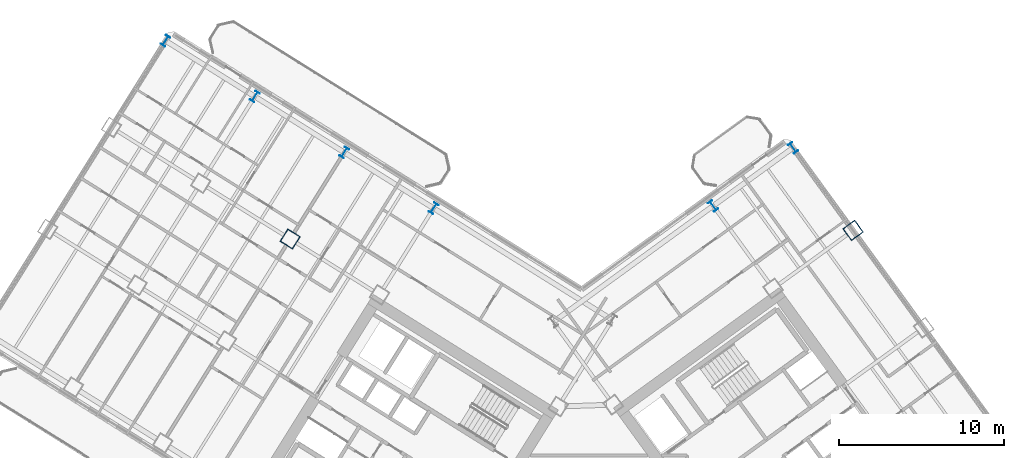
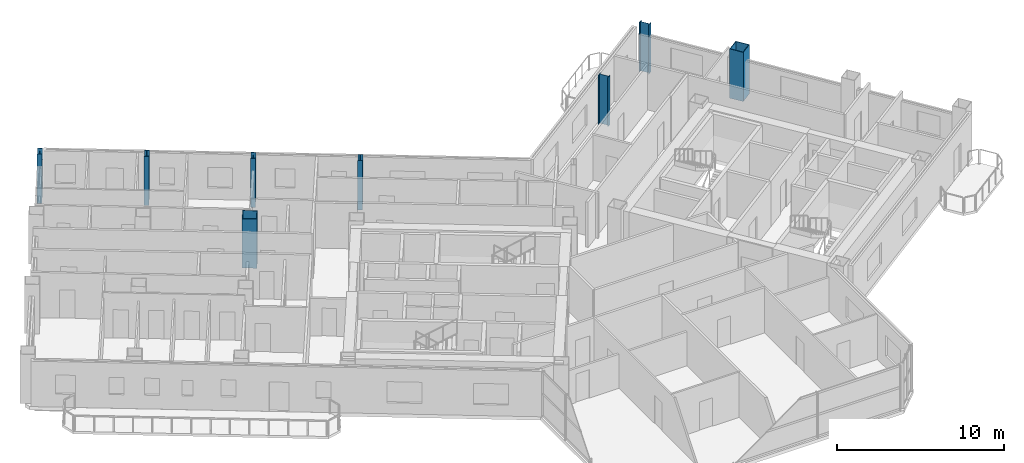
# One storey, part 3 of 22: 8 columns.
"""IFC4 building model written with IfcOpenShell, lengths in metres."""

from ifc_helpers import new_model, si_unit, direction, frame, origin, origin_2d, place, context, subcontext, project, spatial, hollow_rectangle, i_section, extrude, source, transform, mapped, material, material_profile, profile_set, type_object, element, save


model = new_model("IFC4")

# Units and contexts
model_context = context("Model", 3, precision=1e-05, world=origin(), true_north=direction((0.0, 1.0)))
body_context = subcontext(model_context, "Body", "Model", "MODEL_VIEW")
ifc_project = project(units=[si_unit("LENGTHUNIT", "METRE"), si_unit("AREAUNIT", "SQUARE_METRE"), si_unit("VOLUMEUNIT", "CUBIC_METRE"), si_unit("PLANEANGLEUNIT", "RADIAN"), si_unit("MASSUNIT", "GRAM", prefix="KILO")], contexts=[model_context])

# Site, building, storey
site_placement = place(None, origin())
site = spatial("IfcSite", under=ifc_project, at=site_placement, CompositionType="ELEMENT")
building_placement = place(site_placement, origin())
building = spatial("IfcBuilding", under=site, at=building_placement, Name="Tlacorven Tower", CompositionType="ELEMENT")
storey_placement = place(building_placement, frame((0.0, 0.0, 97.199951171875)))
storey = spatial("IfcBuildingStorey", under=building, at=storey_placement, Name="L24", CompositionType="ELEMENT", Elevation=97.199951171875)

# Columns
ifc_material = material(Name="Steel S460M", Category="steel")
ifc_material_profile_1 = material_profile(ifc_material, i_section(OverallWidth=0.300048828125, OverallDepth=0.64990234375, WebThickness=0.01611328125, FlangeThickness=0.031005859375, at=origin_2d()), Name="HEB 650")
ifc_profile_set_1 = profile_set([ifc_material_profile_1], Name="Steel S460M")
column_type_1 = type_object("IfcColumnType", Name="COL-TWR-P1", PredefinedType="COLUMN", material=ifc_profile_set_1)
shared_shape_1 = source(origin(), body_context, "Body", "SweptSolid", [
    extrude(i_section(OverallWidth=0.300048828125, OverallDepth=0.64990234375, WebThickness=0.01611328125, FlangeThickness=0.031005859375, at=origin_2d()), origin(), (0.0, 0.0, 1.0), 3.60009765625),
])
for number, where, z_axis, x_axis, name in (
    (1, (33.21337890625, 36.50927734375, 0.0), (0.0, 0.0, 1.0), (-0.848048096156, 0.529919264233, 0.0), "L24 column COL-L24-W3-1"),
    (2, (27.785888671875, 39.900634765625, 0.0), (0.0, 0.0, 1.0), (-0.848048096156, 0.529919264233, 0.0), "L24 column COL-L24-W4-1"),
    (3, (22.3583984375, 43.292236328125, 0.0), (0.0, 0.0, 1.0), (-0.848048096156, 0.529919264233, 0.0), "L24 column COL-L24-W5-1"),
    (4, (16.930908203125, 46.68359375, 0.0), (0.0, 0.0, 1.0), (-0.848048096156, 0.529919264233, 0.0), "L24 column COL-L24-W6-1"),
    (5, (50.187744140625, 36.654296875, 0.0), (0.0, 0.0, 1.0), (0.809016994375, 0.587785252292, 0.0), "L24 column COL-L24-E3-4"),
    (6, (55.041748046875, 40.18115234375, 0.0), (0.0, 0.0, 1.0), (0.809016994375, 0.587785252292, 0.0), "L24 column COL-L24-E4-4"),
):
    element("IfcColumn", number, at=place(storey_placement, frame(where, z_axis=z_axis, x_axis=x_axis)), inside=storey, type_object=column_type_1, Name=name, PredefinedType="COLUMN", context=body_context, shape_type="MappedRepresentation", body=[
        mapped(shared_shape_1, transform((0.0, 0.0, 0.0), scale=1.0)),
    ])
ifc_material_profile_2 = material_profile(ifc_material, hollow_rectangle(XDim=0.89990234375, YDim=0.89990234375, WallThickness=0.035888671875, at=origin_2d()), Name="BOX 900X900X36")
ifc_profile_set_2 = profile_set([ifc_material_profile_2], Name="Steel S460M")
column_type_2 = type_object("IfcColumnType", Name="COL-TWR-S2", PredefinedType="COLUMN", material=ifc_profile_set_2)
shared_shape_2 = source(origin(), body_context, "Body", "SweptSolid", [
    extrude(hollow_rectangle(XDim=0.89990234375, YDim=0.89990234375, WallThickness=0.035888671875, at=origin_2d()), origin(), (0.0, 0.0, 1.0), 3.60009765625),
])
for number, where, z_axis, x_axis, name in (
    (7, (24.50048828125, 34.642822265625, 0.0), (0.0, 0.0, 1.0), (-0.848048096156, 0.529919264233, 0.0), "L24 column COL-L24-W4-2"),
    (8, (58.68603515625, 35.165283203125, 0.0), (0.0, 0.0, 1.0), (0.809016994375, 0.587785252292, 0.0), "L24 column COL-L24-E4-3"),
):
    element("IfcColumn", number, at=place(storey_placement, frame(where, z_axis=z_axis, x_axis=x_axis)), inside=storey, type_object=column_type_2, Name=name, PredefinedType="COLUMN", context=body_context, shape_type="MappedRepresentation", body=[
        mapped(shared_shape_2, transform((0.0, 0.0, 0.0), scale=1.0)),
    ])

save(model, "model.ifc")
